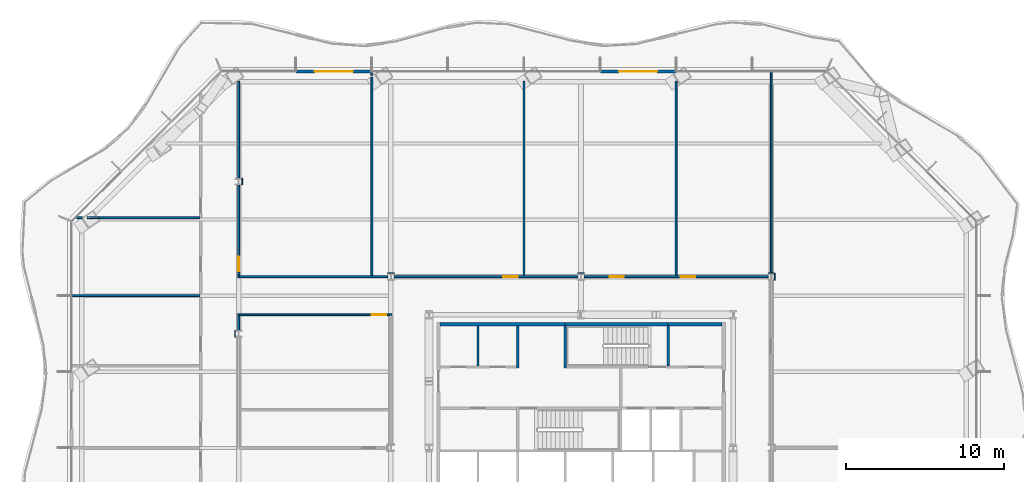
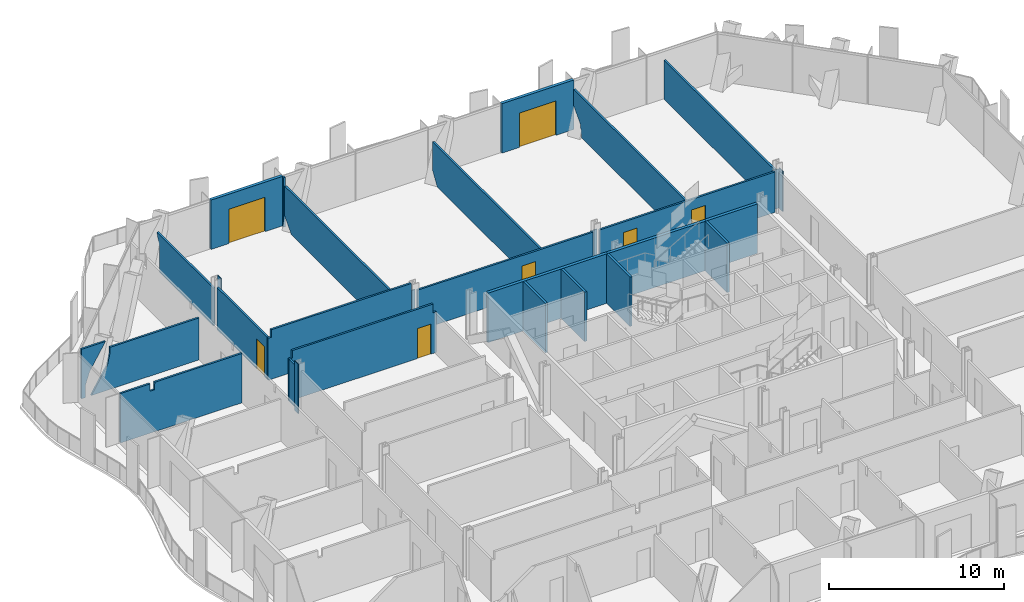
# One storey, part 10 of 20: 30 walls, 7 doors, 7 openings.
"""IFC4 building model written with IfcOpenShell, lengths in metres."""

from ifc_helpers import new_model, si_unit, direction, frame, frame_2d, origin, place, context, subcontext, project, spatial, polyline, rectangle, outline, extrude, material, layer, layer_set, type_object, element, fill, save


model = new_model("IFC4")

# Units and contexts
model_context = context("Model", 3, precision=1e-05, world=origin(), true_north=direction((0.0, 1.0)))
body_context = subcontext(model_context, "Body", "Model", "MODEL_VIEW")
ifc_project = project(units=[si_unit("LENGTHUNIT", "METRE"), si_unit("AREAUNIT", "SQUARE_METRE"), si_unit("VOLUMEUNIT", "CUBIC_METRE"), si_unit("PLANEANGLEUNIT", "RADIAN"), si_unit("MASSUNIT", "GRAM", prefix="KILO")], contexts=[model_context])

# Site, building, storey
site_placement = place(None, origin())
site = spatial("IfcSite", under=ifc_project, at=site_placement, CompositionType="ELEMENT")
building_placement = place(site_placement, origin())
building = spatial("IfcBuilding", under=site, at=building_placement, Name="Cairn Pilgrim Tower", CompositionType="ELEMENT")
storey_placement = place(building_placement, frame((0.0, 0.0, 101.39990234375)))
storey = spatial("IfcBuildingStorey", under=building, at=storey_placement, Name="L24", CompositionType="ELEMENT", Elevation=101.39990234375)

# Wall, opening, door
ifc_material_1 = material(Name="Bronze anodised aluminium insulated sandwich panel with mineral wool fill", Category="aluminium")
ifc_layer_1 = layer(ifc_material_1, 0.199951171875)
ifc_layer_set_1 = layer_set([ifc_layer_1], Name="BRONZE INFILL FRAME WALL 200")
wall_type_1 = type_object("IfcWallType", Name="BRONZE INFILL FRAME WALL 200", PredefinedType="NOTDEFINED", material=ifc_layer_set_1)
wall_1_placement = place(storey_placement, frame((13.169921875, 26.14990234375, 0.0), z_axis=(0.0, 0.0, 1.0), x_axis=(-1.0, 0.0, 0.0)))
wall_1 = element("IfcWall", 1, at=wall_1_placement, inside=storey, type_object=wall_type_1, Name="Bronze infill frame wall IW-N3", PredefinedType="NOTDEFINED", context=body_context, shape_type="SweptSolid", body=[
    extrude(rectangle(XDim=4.739990234375, YDim=0.199951171875, at=frame_2d((2.3701171875, 0.0))), origin(), (0.0, 0.0, 1.0), 3.4501953125),
])
opening_1_placement = place(wall_1_placement, frame((1.169921875, 0.0, 0.0)))
opening_1 = element("IfcOpeningElement", 2, at=opening_1_placement, cuts=wall_1, Name="Opening 2419B", PredefinedType="OPENING", context=body_context, shape_type="SweptSolid", body=[
    extrude(rectangle(XDim=2.39990234375, YDim=2.39990234375, at=frame_2d((1.199951171875, 1.199951171875))), frame((0.0, 0.10986328125, 0.0), z_axis=(0.0, -1.0, 0.0), x_axis=(1.0, 0.0, 0.0)), (0.0, 0.0, 1.0), 0.219970703125),
])
ifc_material_2 = material(Name="Bronze anodised aluminium frame with tinted low-E glass", Category="aluminium")
door_type_1 = type_object("IfcDoorType", Name="BALCONY SLIDING DOOR 2400x2400", OperationType="DOUBLE_DOOR_SLIDING", PredefinedType="DOOR", material=ifc_material_2)
door_1_placement = place(opening_1_placement, origin())
door_1 = element("IfcDoor", 3, at=door_1_placement, inside=storey, type_object=door_type_1, Name="Balcony sliding door 2419B", OperationType="SINGLE_SWING_LEFT", OverallHeight=2.39990234375, OverallWidth=2.39990234375, PredefinedType="DOOR", context=body_context, shape_type="SweptSolid", body=[
    extrude(rectangle(XDim=2.39990234375, YDim=2.39990234375, at=frame_2d((1.199951171875, 1.199951171875))), frame((0.0, 0.02490234375, 0.0), z_axis=(0.0, -1.0, 0.0), x_axis=(1.0, 0.0, 0.0)), (0.0, 0.0, 1.0), 0.050048828125),
])
fill(opening_1, door_1)

wall_2_placement = place(storey_placement, frame((-6.030029296875, 26.14990234375, 0.0), z_axis=(0.0, 0.0, 1.0), x_axis=(-1.0, 0.0, 0.0)))
wall_2 = element("IfcWall", 4, at=wall_2_placement, inside=storey, type_object=wall_type_1, Name="Bronze infill frame wall IW-N7", PredefinedType="NOTDEFINED", context=body_context, shape_type="SweptSolid", body=[
    extrude(rectangle(XDim=4.739990234375, YDim=0.199951171875, at=frame_2d((2.3701171875, 0.0))), origin(), (0.0, 0.0, 1.0), 3.4501953125),
])
opening_2_placement = place(wall_2_placement, frame((1.169921875, 0.0, 0.0)))
opening_2 = element("IfcOpeningElement", 5, at=opening_2_placement, cuts=wall_2, Name="Opening 2417B", PredefinedType="OPENING", context=body_context, shape_type="SweptSolid", body=[
    extrude(rectangle(XDim=2.39990234375, YDim=2.39990234375, at=frame_2d((1.199951171875, 1.199951171875))), frame((0.0, 0.10986328125, 0.0), z_axis=(0.0, -1.0, 0.0), x_axis=(1.0, 0.0, 0.0)), (0.0, 0.0, 1.0), 0.219970703125),
])
door_2_placement = place(opening_2_placement, origin())
door_2 = element("IfcDoor", 6, at=door_2_placement, inside=storey, type_object=door_type_1, Name="Balcony sliding door 2417B", OperationType="SINGLE_SWING_LEFT", OverallHeight=2.39990234375, OverallWidth=2.39990234375, PredefinedType="DOOR", context=body_context, shape_type="SweptSolid", body=[
    extrude(rectangle(XDim=2.39990234375, YDim=2.39990234375, at=frame_2d((1.199951171875, 1.199951171875))), frame((0.0, 0.02490234375, 0.0), z_axis=(0.0, -1.0, 0.0), x_axis=(1.0, 0.0, 0.0)), (0.0, 0.0, 1.0), 0.050048828125),
])
fill(opening_2, door_2)

# Walls
ifc_material_3 = material(Name="Concrete C32/40", Category="concrete")
ifc_layer_2 = layer(ifc_material_3, 0.199951171875)
ifc_layer_set_2 = layer_set([ifc_layer_2], Name="CORE OUTER WALL 200 EI 120")
wall_type_2 = type_object("IfcWallType", Name="CORE OUTER WALL 200 EI 120", PredefinedType="SOLIDWALL", material=ifc_layer_set_2)
wall_3_placement = place(storey_placement, frame((-1.699951171875, 10.199951171875, 0.0), z_axis=(0.0, 0.0, 1.0), x_axis=(1.0, 0.0, 0.0)))
element("IfcWall", 7, at=wall_3_placement, inside=storey, type_object=wall_type_2, Name="CW:L24:H11-1", PredefinedType="SOLIDWALL", context=body_context, shape_type="SweptSolid", body=[
    extrude(rectangle(XDim=7.89990234375, YDim=0.199951171875, at=frame_2d((3.949951171875, 0.0))), origin(), (0.0, 0.0, 1.0), 3.4501953125),
])
wall_4_placement = place(storey_placement, frame((12.699951171875, 10.199951171875, 0.0), z_axis=(0.0, 0.0, 1.0), x_axis=(1.0, 0.0, 0.0)))
element("IfcWall", 8, at=wall_4_placement, inside=storey, type_object=wall_type_2, Name="CW:L24:H11-3", PredefinedType="SOLIDWALL", context=body_context, shape_type="SweptSolid", body=[
    extrude(rectangle(XDim=3.400146484375, YDim=0.199951171875, at=frame_2d((1.7001953125, 0.0))), origin(), (0.0, 0.0, 1.0), 3.4501953125),
])
ifc_layer_3 = layer(ifc_material_3, 0.14990234375)
ifc_layer_set_3 = layer_set([ifc_layer_3], Name="CORE PARTITION 150 EI 60")
wall_type_3 = type_object("IfcWallType", Name="CORE PARTITION 150 EI 60", PredefinedType="PARTITIONING", material=ifc_layer_set_3)
wall_5_placement = place(storey_placement, frame((0.699951171875, 7.574951171875, 0.0), z_axis=(0.0, 0.0, 1.0), x_axis=(0.0, 1.0, 0.0)))
element("IfcWall", 9, at=wall_5_placement, inside=storey, type_object=wall_type_3, Name="CW:L24:V15", PredefinedType="PARTITIONING", context=body_context, shape_type="SweptSolid", body=[
    extrude(rectangle(XDim=2.525146484375, YDim=0.14990234375, at=frame_2d((1.2626953125, 0.0))), origin(), (0.0, 0.0, 1.0), 3.4501953125),
])
wall_6_placement = place(storey_placement, frame((3.199951171875, 7.425048828125, 0.0), z_axis=(0.0, 0.0, 1.0), x_axis=(0.0, 1.0, 0.0)))
element("IfcWall", 10, at=wall_6_placement, inside=storey, type_object=wall_type_3, Name="CW:L24:V19", PredefinedType="PARTITIONING", context=body_context, shape_type="SweptSolid", body=[
    extrude(rectangle(XDim=2.675048828125, YDim=0.14990234375, at=frame_2d((1.33740234375, 0.0))), origin(), (0.0, 0.0, 1.0), 3.4501953125),
])
ifc_material_4 = material(Name="Gypsum partition")
ifc_layer_4 = layer(ifc_material_4, 0.125)
ifc_layer_set_4 = layer_set([ifc_layer_4], Name="PARTITION 125 DRYWALL EI 60")
wall_type_4 = type_object("IfcWallType", Name="PARTITION 125 DRYWALL EI 60", PredefinedType="PARTITIONING", material=ifc_layer_set_4)
wall_7_placement = place(storey_placement, frame((-14.39990234375, 9.8125, 0.0), z_axis=(0.0, 0.0, 1.0), x_axis=(0.0, 1.0, 0.0)))
element("IfcWall", 11, at=wall_7_placement, inside=storey, type_object=wall_type_4, Name="PARTITION W053", PredefinedType="PARTITIONING", context=body_context, shape_type="SweptSolid", body=[
    extrude(rectangle(XDim=0.925048828125, YDim=0.125, at=frame_2d((0.46240234375, 0.0))), origin(), (0.0, 0.0, 1.0), 2.93017578125),
])

# Wall, opening, door
wall_8_placement = place(storey_placement, frame((-14.46240234375, 10.800048828125, 0.0), z_axis=(0.0, 0.0, 1.0), x_axis=(1.0, 0.0, 0.0)))
wall_8 = element("IfcWall", 12, at=wall_8_placement, inside=storey, type_object=wall_type_4, Name="PARTITION W054", PredefinedType="PARTITIONING", context=body_context, shape_type="SweptSolid", body=[
    extrude(outline(polyline([(0.0, 0.0), (9.724853515625, 0.0), (9.72509765625, 2.830078125), (9.512451171875, 2.830078125), (9.510498046875, 3.4501953125), (0.21240234375, 3.4501953125), (0.21044921875, 2.93017578125), (0.0, 2.93017578125), (0.0, 0.0)])), frame((0.0, 0.0625, 0.0), z_axis=(0.0, -1.0, 0.0), x_axis=(1.0, 0.0, 0.0)), (0.0, 0.0, 1.0), 0.125),
])
opening_3_placement = place(wall_8_placement, frame((8.46240234375, 0.0, 0.0)))
opening_3 = element("IfcOpeningElement", 13, at=opening_3_placement, cuts=wall_8, Name="Opening 2429", PredefinedType="OPENING", context=body_context, shape_type="SweptSolid", body=[
    extrude(rectangle(XDim=0.89990234375, YDim=2.10009765625, at=frame_2d((0.449951171875, 1.050048828125))), frame((0.0, 0.072509765625, 0.0), z_axis=(0.0, -1.0, 0.0), x_axis=(1.0, 0.0, 0.0)), (0.0, 0.0, 1.0), 0.14501953125),
])
ifc_material_5 = material(Name="Steel-faced fire door leaf", Category="steel")
door_type_2 = type_object("IfcDoorType", Name="FIRE DOOR 900x2100 FD30S", OperationType="NOTDEFINED", PredefinedType="DOOR", material=ifc_material_5)
door_3_placement = place(opening_3_placement, frame((0.89990234375, 0.0, 0.0), z_axis=(0.0, 0.0, 1.0), x_axis=(-1.0, 0.0, 0.0)))
door_3 = element("IfcDoor", 14, at=door_3_placement, inside=storey, type_object=door_type_2, Name="DOOR 2429", OperationType="SINGLE_SWING_RIGHT", OverallHeight=2.10009765625, OverallWidth=0.89990234375, PredefinedType="DOOR", context=body_context, shape_type="SweptSolid", body=[
    extrude(rectangle(XDim=0.89990234375, YDim=2.10009765625, at=frame_2d((0.449951171875, 1.050048828125))), frame((0.0, 0.02490234375, 0.0), z_axis=(0.0, -1.0, 0.0), x_axis=(1.0, 0.0, 0.0)), (0.0, 0.0, 1.0), 0.050048828125),
])
fill(opening_3, door_3)

# Walls
wall_9_placement = place(storey_placement, frame((-24.889892578125, 12.0, 0.0), z_axis=(0.0, 0.0, 1.0), x_axis=(1.0, 0.0, 0.0)))
element("IfcWall", 15, at=wall_9_placement, inside=storey, type_object=wall_type_4, Name="PARTITION W055", PredefinedType="PARTITIONING", context=body_context, shape_type="SweptSolid", body=[
    extrude(outline(polyline([(0.0, 0.0), (8.02734375, 0.0), (8.027587890625, 3.4501953125), (2.2529296875, 3.4501953125), (2.2509765625, 2.93017578125), (1.952880859375, 2.93017578125), (1.950927734375, 3.4501953125), (0.0, 3.4501953125), (0.0, 0.0)])), frame((0.0, 0.0625, 0.0), z_axis=(0.0, -1.0, 0.0), x_axis=(1.0, 0.0, 0.0)), (0.0, 0.0, 1.0), 0.125),
])
wall_10_placement = place(storey_placement, frame((-14.46240234375, 13.199951171875, 0.0), z_axis=(0.0, 0.0, 1.0), x_axis=(1.0, 0.0, 0.0)))
element("IfcWall", 16, at=wall_10_placement, inside=storey, type_object=wall_type_4, Name="PARTITION W056", PredefinedType="PARTITIONING", context=body_context, shape_type="SweptSolid", body=[
    extrude(outline(polyline([(0.0, 0.0), (9.4580078125, 0.0), (9.4580078125, 3.4501953125), (0.21240234375, 3.4501953125), (0.21044921875, 2.93017578125), (0.0, 2.93017578125), (0.0, 0.0)])), frame((0.0, 0.0625, 0.0), z_axis=(0.0, -1.0, 0.0), x_axis=(1.0, 0.0, 0.0)), (0.0, 0.0, 1.0), 0.125),
])

# Wall, opening, door
wall_11_placement = place(storey_placement, frame((-4.595458984375, 13.199951171875, 0.0), z_axis=(0.0, 0.0, 1.0), x_axis=(1.0, 0.0, 0.0)))
wall_11 = element("IfcWall", 17, at=wall_11_placement, inside=storey, type_object=wall_type_4, Name="PARTITION W057", PredefinedType="PARTITIONING", context=body_context, shape_type="SweptSolid", body=[
    extrude(rectangle(XDim=11.591064453125, YDim=0.125, at=frame_2d((5.79541015625, 0.0))), origin(), (0.0, 0.0, 1.0), 2.830078125),
])
opening_4_placement = place(wall_11_placement, frame((6.8955078125, 0.0, 0.0)))
opening_4 = element("IfcOpeningElement", 18, at=opening_4_placement, cuts=wall_11, Name="Opening 2418", PredefinedType="OPENING", context=body_context, shape_type="SweptSolid", body=[
    extrude(rectangle(XDim=0.89990234375, YDim=2.10009765625, at=frame_2d((0.449951171875, 1.050048828125))), frame((0.0, 0.072509765625, 0.0), z_axis=(0.0, -1.0, 0.0), x_axis=(1.0, 0.0, 0.0)), (0.0, 0.0, 1.0), 0.14501953125),
])
door_4_placement = place(opening_4_placement, origin())
door_4 = element("IfcDoor", 19, at=door_4_placement, inside=storey, type_object=door_type_2, Name="DOOR 2418", OperationType="SINGLE_SWING_LEFT", OverallHeight=2.10009765625, OverallWidth=0.89990234375, PredefinedType="DOOR", context=body_context, shape_type="SweptSolid", body=[
    extrude(rectangle(XDim=0.89990234375, YDim=2.10009765625, at=frame_2d((0.449951171875, 1.050048828125))), frame((0.0, 0.02490234375, 0.0), z_axis=(0.0, -1.0, 0.0), x_axis=(1.0, 0.0, 0.0)), (0.0, 0.0, 1.0), 0.050048828125),
])
fill(opening_4, door_4)

# Wall, openings, doors
wall_12_placement = place(storey_placement, frame((7.404541015625, 13.199951171875, 0.0), z_axis=(0.0, 0.0, 1.0), x_axis=(1.0, 0.0, 0.0)))
wall_12 = element("IfcWall", 20, at=wall_12_placement, inside=storey, type_object=wall_type_4, Name="PARTITION W058", PredefinedType="PARTITIONING", context=body_context, shape_type="SweptSolid", body=[
    extrude(rectangle(XDim=11.591064453125, YDim=0.125, at=frame_2d((5.79541015625, 0.0))), origin(), (0.0, 0.0, 1.0), 2.830078125),
])
opening_5_placement = place(wall_12_placement, frame((1.595458984375, 0.0, 0.0)))
opening_5 = element("IfcOpeningElement", 21, at=opening_5_placement, cuts=wall_12, Name="Opening 2419", PredefinedType="OPENING", context=body_context, shape_type="SweptSolid", body=[
    extrude(rectangle(XDim=0.89990234375, YDim=2.10009765625, at=frame_2d((0.449951171875, 1.050048828125))), frame((0.0, 0.072509765625, 0.0), z_axis=(0.0, -1.0, 0.0), x_axis=(1.0, 0.0, 0.0)), (0.0, 0.0, 1.0), 0.14501953125),
])
opening_6_placement = place(wall_12_placement, frame((6.095458984375, 0.0, 0.0)))
opening_6 = element("IfcOpeningElement", 22, at=opening_6_placement, cuts=wall_12, Name="Opening 2420", PredefinedType="OPENING", context=body_context, shape_type="SweptSolid", body=[
    extrude(rectangle(XDim=0.89990234375, YDim=2.10009765625, at=frame_2d((0.449951171875, 1.050048828125))), frame((0.0, 0.072509765625, 0.0), z_axis=(0.0, -1.0, 0.0), x_axis=(1.0, 0.0, 0.0)), (0.0, 0.0, 1.0), 0.14501953125),
])
door_5_placement = place(opening_5_placement, origin())
door_5 = element("IfcDoor", 23, at=door_5_placement, inside=storey, type_object=door_type_2, Name="DOOR 2419", OperationType="SINGLE_SWING_RIGHT", OverallHeight=2.10009765625, OverallWidth=0.89990234375, PredefinedType="DOOR", context=body_context, shape_type="SweptSolid", body=[
    extrude(rectangle(XDim=0.89990234375, YDim=2.10009765625, at=frame_2d((0.449951171875, 1.050048828125))), frame((0.0, 0.02490234375, 0.0), z_axis=(0.0, -1.0, 0.0), x_axis=(1.0, 0.0, 0.0)), (0.0, 0.0, 1.0), 0.050048828125),
])
fill(opening_5, door_5)
door_6_placement = place(opening_6_placement, origin())
door_6 = element("IfcDoor", 24, at=door_6_placement, inside=storey, type_object=door_type_2, Name="DOOR 2420", OperationType="SINGLE_SWING_LEFT", OverallHeight=2.10009765625, OverallWidth=0.89990234375, PredefinedType="DOOR", context=body_context, shape_type="SweptSolid", body=[
    extrude(rectangle(XDim=0.89990234375, YDim=2.10009765625, at=frame_2d((0.449951171875, 1.050048828125))), frame((0.0, 0.02490234375, 0.0), z_axis=(0.0, -1.0, 0.0), x_axis=(1.0, 0.0, 0.0)), (0.0, 0.0, 1.0), 0.050048828125),
])
fill(opening_6, door_6)

# Wall, opening, door
wall_13_placement = place(storey_placement, frame((-14.39990234375, 13.262451171875, 0.0), z_axis=(0.0, 0.0, 1.0), x_axis=(0.0, 1.0, 0.0)))
wall_13 = element("IfcWall", 25, at=wall_13_placement, inside=storey, type_object=wall_type_4, Name="PARTITION W059", PredefinedType="PARTITIONING", context=body_context, shape_type="SweptSolid", body=[
    extrude(rectangle(XDim=5.72509765625, YDim=0.125, at=frame_2d((2.862548828125, 0.0))), origin(), (0.0, 0.0, 1.0), 2.93017578125),
])
opening_7_placement = place(wall_13_placement, frame((0.28759765625, 0.0, 0.0)))
opening_7 = element("IfcOpeningElement", 26, at=opening_7_placement, cuts=wall_13, Name="Opening 2417", PredefinedType="OPENING", context=body_context, shape_type="SweptSolid", body=[
    extrude(rectangle(XDim=0.89990234375, YDim=2.10009765625, at=frame_2d((0.449951171875, 1.050048828125))), frame((0.0, 0.072509765625, 0.0), z_axis=(0.0, -1.0, 0.0), x_axis=(1.0, 0.0, 0.0)), (0.0, 0.0, 1.0), 0.14501953125),
])
door_7_placement = place(opening_7_placement, frame((0.89990234375, 0.0, 0.0), z_axis=(0.0, 0.0, 1.0), x_axis=(-1.0, 0.0, 0.0)))
door_7 = element("IfcDoor", 27, at=door_7_placement, inside=storey, type_object=door_type_2, Name="DOOR 2417", OperationType="SINGLE_SWING_RIGHT", OverallHeight=2.10009765625, OverallWidth=0.89990234375, PredefinedType="DOOR", context=body_context, shape_type="SweptSolid", body=[
    extrude(rectangle(XDim=0.89990234375, YDim=2.10009765625, at=frame_2d((0.449951171875, 1.050048828125))), frame((0.0, 0.02490234375, 0.0), z_axis=(0.0, -1.0, 0.0), x_axis=(1.0, 0.0, 0.0)), (0.0, 0.0, 1.0), 0.050048828125),
])
fill(opening_7, door_7)

# Walls
wall_14_placement = place(storey_placement, frame((-6.0, 13.262451171875, 0.0), z_axis=(0.0, 0.0, 1.0), x_axis=(0.0, 1.0, 0.0)))
element("IfcWall", 28, at=wall_14_placement, inside=storey, type_object=wall_type_4, Name="PARTITION W060", PredefinedType="PARTITIONING", context=body_context, shape_type="SweptSolid", body=[
    extrude(outline(polyline([(0.0, 0.0), (11.752197265625, 0.0), (12.537353515625, 0.862548828125), (12.537353515625, 1.72509765625), (12.537353515625, 2.587646484375), (12.537353515625, 2.93017578125), (0.0, 2.93017578125), (0.0, 2.587646484375), (0.0, 1.72509765625), (0.0, 0.862548828125), (0.0, 0.0)])), frame((0.0, 0.0625, 0.0), z_axis=(0.0, -1.0, 0.0), x_axis=(1.0, 0.0, 0.0)), (0.0, 0.0, 1.0), 0.125),
])
wall_15_placement = place(storey_placement, frame((3.60009765625, 13.262451171875, 0.0), z_axis=(0.0, 0.0, 1.0), x_axis=(0.0, 1.0, 0.0)))
element("IfcWall", 29, at=wall_15_placement, inside=storey, type_object=wall_type_4, Name="PARTITION W061", PredefinedType="PARTITIONING", context=body_context, shape_type="SweptSolid", body=[
    extrude(outline(polyline([(0.0, 0.0), (11.715087890625, 0.0), (12.2578125, 0.862548828125), (12.2578125, 1.72509765625), (12.2578125, 2.587646484375), (12.2578125, 2.830078125), (0.0, 2.830078125), (0.0, 2.587646484375), (0.0, 1.72509765625), (0.0, 0.862548828125), (0.0, 0.0)])), frame((0.0, 0.0625, 0.0), z_axis=(0.0, -1.0, 0.0), x_axis=(1.0, 0.0, 0.0)), (0.0, 0.0, 1.0), 0.125),
])
wall_16_placement = place(storey_placement, frame((13.199951171875, 13.262451171875, 0.0), z_axis=(0.0, 0.0, 1.0), x_axis=(0.0, 1.0, 0.0)))
element("IfcWall", 30, at=wall_16_placement, inside=storey, type_object=wall_type_4, Name="PARTITION W062", PredefinedType="PARTITIONING", context=body_context, shape_type="SweptSolid", body=[
    extrude(outline(polyline([(0.0, 0.0), (11.83935546875, 0.0), (11.978271484375, 0.862548828125), (12.763427734375, 1.72509765625), (12.763427734375, 2.587646484375), (12.763427734375, 2.830078125), (0.0, 2.830078125), (0.0, 2.587646484375), (0.0, 1.72509765625), (0.0, 0.862548828125), (0.0, 0.0)])), frame((0.0, 0.0625, 0.0), z_axis=(0.0, -1.0, 0.0), x_axis=(1.0, 0.0, 0.0)), (0.0, 0.0, 1.0), 0.125),
])
wall_17_placement = place(storey_placement, frame((19.199951171875, 13.41259765625, 0.0), z_axis=(0.0, 0.0, 1.0), x_axis=(0.0, 1.0, 0.0)))
element("IfcWall", 31, at=wall_17_placement, inside=storey, type_object=wall_type_4, Name="PARTITION W063", PredefinedType="PARTITIONING", context=body_context, shape_type="SweptSolid", body=[
    extrude(rectangle(XDim=12.677490234375, YDim=0.125, at=frame_2d((6.3388671875, 0.0))), origin(), (0.0, 0.0, 1.0), 2.72998046875),
])
wall_18_placement = place(storey_placement, frame((-24.625, 16.931884765625, 0.0), z_axis=(0.0, 0.0, 1.0), x_axis=(1.0, 0.0, 0.0)))
element("IfcWall", 32, at=wall_18_placement, inside=storey, type_object=wall_type_4, Name="PARTITION W064", PredefinedType="PARTITIONING", context=body_context, shape_type="SweptSolid", body=[
    extrude(outline(polyline([(0.0, 0.0), (0.267333984375, 0.0), (0.267333984375, 0.862548828125), (0.54638671875, 1.72509765625), (1.06982421875, 2.587646484375), (1.593505859375, 3.4501953125), (0.0, 3.4501953125), (0.0, 2.587646484375), (0.0, 1.72509765625), (0.0, 0.862548828125), (0.0, 0.0)])), frame((0.0, 0.0625, 0.0), z_axis=(0.0, -1.0, 0.0), x_axis=(1.0, 0.0, 0.0)), (0.0, 0.0, 1.0), 0.125),
])
wall_19_placement = place(storey_placement, frame((-23.96533203125, 16.931884765625, 0.0), z_axis=(0.0, 0.0, 1.0), x_axis=(1.0, 0.0, 0.0)))
element("IfcWall", 33, at=wall_19_placement, inside=storey, type_object=wall_type_4, Name="PARTITION W065", PredefinedType="PARTITIONING", context=body_context, shape_type="SweptSolid", body=[
    extrude(outline(polyline([(0.0, 0.0), (7.102783203125, 0.0), (7.102783203125, 0.862548828125), (7.102783203125, 1.72509765625), (7.102783203125, 2.587646484375), (7.102783203125, 2.93017578125), (1.2373046875, 2.93017578125), (1.2373046875, 2.587646484375), (1.047119140625, 1.72509765625), (0.523681640625, 0.862548828125), (0.0, 0.0)])), frame((0.0, 0.0625, 0.0), z_axis=(0.0, -1.0, 0.0), x_axis=(1.0, 0.0, 0.0)), (0.0, 0.0, 1.0), 0.125),
])
wall_20_placement = place(storey_placement, frame((-14.39990234375, 19.41259765625, 0.0), z_axis=(0.0, 0.0, 1.0), x_axis=(0.0, 1.0, 0.0)))
element("IfcWall", 34, at=wall_20_placement, inside=storey, type_object=wall_type_4, Name="PARTITION W066", PredefinedType="PARTITIONING", context=body_context, shape_type="SweptSolid", body=[
    extrude(outline(polyline([(0.0, 0.0), (6.11669921875, 0.0), (6.11669921875, 0.862548828125), (6.11669921875, 1.72509765625), (6.437744140625, 2.587646484375), (6.437744140625, 2.630126953125), (0.0, 2.630126953125), (0.0, 2.587646484375), (0.0, 1.72509765625), (0.0, 0.862548828125), (0.0, 0.0)])), frame((0.0, 0.0625, 0.0), z_axis=(0.0, -1.0, 0.0), x_axis=(1.0, 0.0, 0.0)), (0.0, 0.0, 1.0), 0.125),
])
wall_21_placement = place(storey_placement, frame((-6.0, 25.898193359375, 0.0), z_axis=(0.0, 0.0, 1.0), x_axis=(0.0, 1.0, 0.0)))
element("IfcWall", 35, at=wall_21_placement, inside=storey, type_object=wall_type_4, Name="PARTITION W067", PredefinedType="PARTITIONING", context=body_context, shape_type="SweptSolid", body=[
    extrude(outline(polyline([(0.0, 0.0), (0.15185546875, 0.0), (0.15185546875, 0.862548828125), (0.15185546875, 1.72509765625), (0.15185546875, 2.587646484375), (0.15185546875, 3.4501953125), (0.0, 3.4501953125), (0.0, 2.587646484375), (0.0, 1.72509765625), (0.0, 0.862548828125), (0.0, 0.0)])), frame((0.0, 0.0625, 0.0), z_axis=(0.0, -1.0, 0.0), x_axis=(1.0, 0.0, 0.0)), (0.0, 0.0, 1.0), 0.125),
])
ifc_layer_5 = layer(ifc_material_4, 0.050048828125)
ifc_layer_set_5 = layer_set([ifc_layer_5], Name="PARTITION 50 DRYWALL EI 60")
wall_type_5 = type_object("IfcWallType", Name="PARTITION 50 DRYWALL EI 60", PredefinedType="PARTITIONING", material=ifc_layer_set_5)
wall_22_placement = place(storey_placement, frame((19.429443359375, 12.987548828125, 0.0), z_axis=(0.0, 0.0, 1.0), x_axis=(0.0, 1.0, 0.0)))
element("IfcWall", 36, at=wall_22_placement, inside=storey, type_object=wall_type_5, Name="COLUMN CASING WC03", PredefinedType="PARTITIONING", context=body_context, shape_type="SweptSolid", body=[
    extrude(rectangle(XDim=0.425048828125, YDim=0.050048828125, at=frame_2d((0.21240234375, 0.0))), origin(), (0.0, 0.0, 1.0), 2.830078125),
])
wall_23_placement = place(storey_placement, frame((-14.62939453125, 9.387451171875, 0.0), z_axis=(0.0, 0.0, 1.0), x_axis=(0.0, 1.0, 0.0)))
element("IfcWall", 37, at=wall_23_placement, inside=storey, type_object=wall_type_5, Name="COLUMN CASING WC13", PredefinedType="PARTITIONING", context=body_context, shape_type="SweptSolid", body=[
    extrude(rectangle(XDim=0.425048828125, YDim=0.050048828125, at=frame_2d((0.21240234375, 0.0))), origin(), (0.0, 0.0, 1.0), 3.4501953125),
])
for number, where, z_axis, x_axis, name in (
    (38, (-5.00439453125, 13.4375, 0.0), (0.0, 0.0, 1.0), (1.0, 0.0, 0.0), "COLUMN CASING WC15"),
    (39, (6.99560546875, 13.4375, 0.0), (0.0, 0.0, 1.0), (1.0, 0.0, 0.0), "COLUMN CASING WC16"),
    (40, (18.99560546875, 13.4375, 0.0), (0.0, 0.0, 1.0), (1.0, 0.0, 0.0), "COLUMN CASING WC17"),
):
    element("IfcWall", number, at=place(storey_placement, frame(where, z_axis=z_axis, x_axis=x_axis)), inside=storey, type_object=wall_type_5, Name=name, PredefinedType="PARTITIONING", context=body_context, shape_type="SweptSolid", body=[
        extrude(rectangle(XDim=0.408935546875, YDim=0.050048828125, at=frame_2d((0.20458984375, 0.0))), origin(), (0.0, 0.0, 1.0), 2.72998046875),
    ])
wall_24_placement = place(storey_placement, frame((-14.17041015625, 18.987548828125, 0.0), z_axis=(0.0, 0.0, 1.0), x_axis=(0.0, 1.0, 0.0)))
element("IfcWall", 41, at=wall_24_placement, inside=storey, type_object=wall_type_5, Name="COLUMN CASING WC18", PredefinedType="PARTITIONING", context=body_context, shape_type="SweptSolid", body=[
    extrude(rectangle(XDim=0.425048828125, YDim=0.050048828125, at=frame_2d((0.21240234375, 0.0))), origin(), (0.0, 0.0, 1.0), 3.4501953125),
])
ifc_material_6 = material(Name="Concrete C35/45", Category="concrete")
ifc_layer_6 = layer(ifc_material_6, 0.14990234375)
ifc_layer_set_6 = layer_set([ifc_layer_6], Name="STAIR SHAFT WALL 150 EI 120")
wall_type_6 = type_object("IfcWallType", Name="STAIR SHAFT WALL 150 EI 120", PredefinedType="SOLIDWALL", material=ifc_layer_set_6)
wall_25_placement = place(storey_placement, frame((6.199951171875, 7.425048828125, 0.0), z_axis=(0.0, 0.0, 1.0), x_axis=(0.0, 1.0, 0.0)))
element("IfcWall", 42, at=wall_25_placement, inside=storey, type_object=wall_type_6, Name="CW:L24:V22", PredefinedType="SOLIDWALL", context=body_context, shape_type="SweptSolid", body=[
    extrude(rectangle(XDim=2.675048828125, YDim=0.14990234375, at=frame_2d((1.33740234375, 0.0))), origin(), (0.0, 0.0, 1.0), 3.4501953125),
])
wall_26_placement = place(storey_placement, frame((12.699951171875, 7.574951171875, 0.0), z_axis=(0.0, 0.0, 1.0), x_axis=(0.0, 1.0, 0.0)))
element("IfcWall", 43, at=wall_26_placement, inside=storey, type_object=wall_type_6, Name="CW:L24:V29", PredefinedType="SOLIDWALL", context=body_context, shape_type="SweptSolid", body=[
    extrude(rectangle(XDim=2.525146484375, YDim=0.14990234375, at=frame_2d((1.2626953125, 0.0))), origin(), (0.0, 0.0, 1.0), 3.4501953125),
])
ifc_layer_7 = layer(ifc_material_6, 0.199951171875)
ifc_layer_set_7 = layer_set([ifc_layer_7], Name="STAIR SHAFT WALL 200 EI 120")
wall_type_7 = type_object("IfcWallType", Name="STAIR SHAFT WALL 200 EI 120", PredefinedType="SOLIDWALL", material=ifc_layer_set_7)
wall_27_placement = place(storey_placement, frame((6.199951171875, 10.199951171875, 0.0), z_axis=(0.0, 0.0, 1.0), x_axis=(1.0, 0.0, 0.0)))
element("IfcWall", 44, at=wall_27_placement, inside=storey, type_object=wall_type_7, Name="CW:L24:H11-2", PredefinedType="SOLIDWALL", context=body_context, shape_type="SweptSolid", body=[
    extrude(rectangle(XDim=6.5, YDim=0.199951171875, at=frame_2d((3.25, 0.0))), origin(), (0.0, 0.0, 1.0), 3.4501953125),
])

save(model, "model.ifc")
